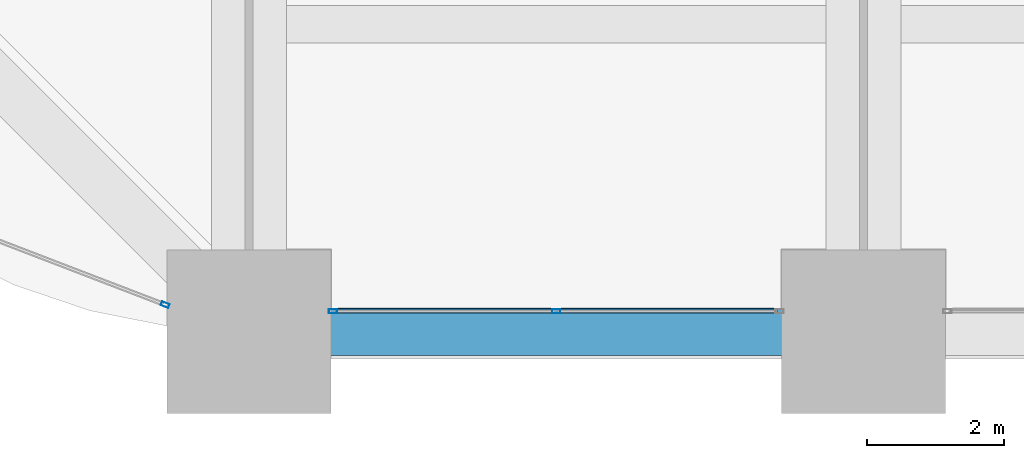
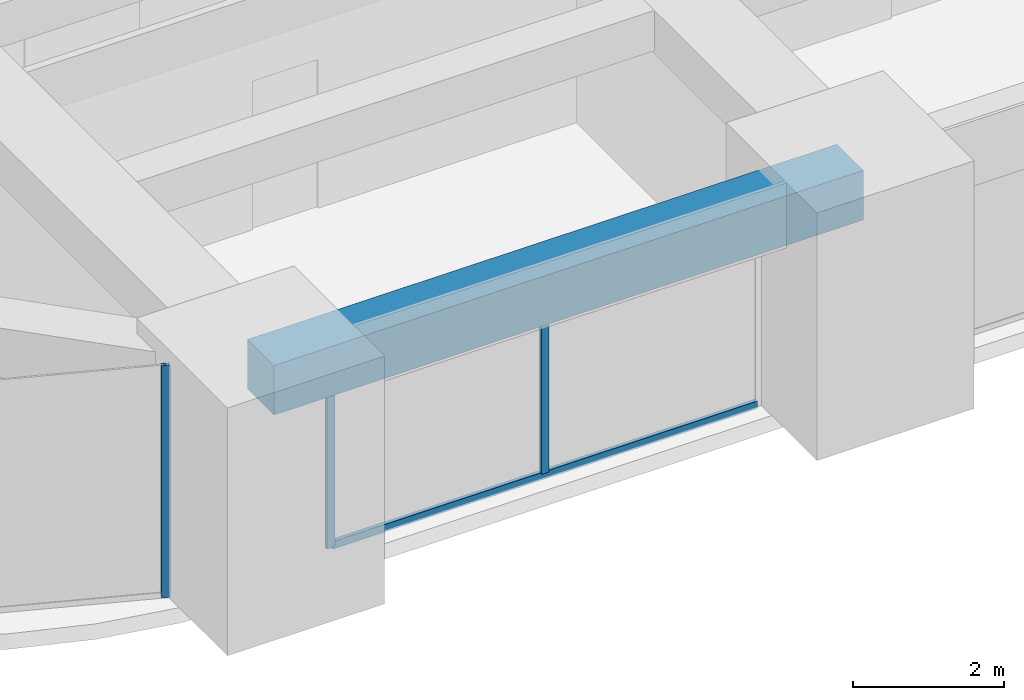
# One storey, part 4 of 45: 4 members, 1 beam, 2 elements without a shape of their own.
"""IFC4 building model written with IfcOpenShell, lengths in metres."""

from ifc_helpers import new_model, si_unit, direction, frame, origin, origin_2d, place, context, subcontext, project, spatial, rectangle, hollow_rectangle, extrude, material, material_profile, profile_set, type_object, element, aggregate, save


model = new_model("IFC4")

# Units and contexts
model_context = context("Model", 3, precision=1e-05, world=origin(), true_north=direction((0.0, 1.0)))
body_context = subcontext(model_context, "Body", "Model", "MODEL_VIEW")
ifc_project = project(units=[si_unit("LENGTHUNIT", "METRE"), si_unit("AREAUNIT", "SQUARE_METRE"), si_unit("VOLUMEUNIT", "CUBIC_METRE"), si_unit("PLANEANGLEUNIT", "RADIAN"), si_unit("MASSUNIT", "GRAM", prefix="KILO")], contexts=[model_context])

# Site, building, storey
site_placement = place(None, origin())
site = spatial("IfcSite", under=ifc_project, at=site_placement, CompositionType="ELEMENT")
building_placement = place(site_placement, origin())
building = spatial("IfcBuilding", under=site, at=building_placement, Name="Zorevar Civic Tower", CompositionType="ELEMENT")
storey_placement = place(building_placement, frame((0.0, 0.0, 247.39990234375)))
storey = spatial("IfcBuildingStorey", under=building, at=storey_placement, Name="L60", CompositionType="ELEMENT", Elevation=247.39990234375)

# Curtain wall, members
ifc_material_1 = material(Name="Dark grey solar-control glass in black aluminium frame", Category="aluminium")
curtain_wall_type = type_object("IfcCurtainWallType", Name="Curtain wall CW5 top zone", PredefinedType="NOTDEFINED", material=ifc_material_1)
curtain_wall_1_placement = place(storey_placement, origin())
curtain_wall_1 = element("IfcCurtainWall", 1, at=curtain_wall_1_placement, inside=storey, type_object=curtain_wall_type, Name="CW5 L60", PredefinedType="NOTDEFINED")
ifc_material_2 = material(Name="Aluminium, black anodised", Category="aluminium")
ifc_material_profile_1 = material_profile(ifc_material_2, hollow_rectangle(XDim=0.06005859375, YDim=0.1201171875, WallThickness=0.0029296875, at=origin_2d()), Name="AL 120x60x3")
ifc_profile_set_1 = profile_set([ifc_material_profile_1], Name="Aluminium, black anodised")
member_type_1 = type_object("IfcMemberType", Name="CW5 mullion AL 120x60x3", PredefinedType="MULLION", material=ifc_profile_set_1)
member_1_placement = place(storey_placement, frame((19.22998046875, 0.300048828125, 0.0), z_axis=(0.0, 0.0, 1.0), x_axis=(0.0, 1.0, 0.0)))
member_1 = element("IfcMember", 2, at=member_1_placement, type_object=member_type_1, Name="CW5 mullion 1", PredefinedType="MULLION", context=body_context, shape_type="SweptSolid", body=[
    extrude(hollow_rectangle(XDim=0.06005859375, YDim=0.1201171875, WallThickness=0.0029296875, at=origin_2d()), origin(), (0.0, 0.0, 1.0), 2.9501953125),
])
member_2_placement = place(storey_placement, frame((22.5, 0.300048828125, 0.06005859375), z_axis=(0.0, 0.0, 1.0), x_axis=(0.0, 1.0, 0.0)))
member_2 = element("IfcMember", 3, at=member_2_placement, type_object=member_type_1, Name="CW5 mullion 2", PredefinedType="MULLION", context=body_context, shape_type="SweptSolid", body=[
    extrude(hollow_rectangle(XDim=0.06005859375, YDim=0.1201171875, WallThickness=0.0029296875, at=origin_2d()), origin(), (0.0, 0.0, 1.0), 2.89013671875),
])

# Curtain wall, member
curtain_wall_2_placement = place(storey_placement, origin())
curtain_wall_2 = element("IfcCurtainWall", 4, at=curtain_wall_2_placement, inside=storey, type_object=curtain_wall_type, Name="CW5 L60", PredefinedType="NOTDEFINED")
member_3_placement = place(storey_placement, frame((16.77197265625, 0.39404296875, 0.0), z_axis=(0.0, 0.0, 1.0), x_axis=(0.358412771707, 0.933563219647, 0.0)))
member_3 = element("IfcMember", 5, at=member_3_placement, type_object=member_type_1, Name="CW5 mullion 2", PredefinedType="MULLION", context=body_context, shape_type="SweptSolid", body=[
    extrude(hollow_rectangle(XDim=0.06005859375, YDim=0.1201171875, WallThickness=0.0029296875, at=origin_2d()), origin(), (0.0, 0.0, 1.0), 3.75),
])
aggregate(curtain_wall_2, [member_3])

# Member
ifc_material_3 = material(Name="Aluminium, black anodised", Category="aluminium")
ifc_material_profile_2 = material_profile(ifc_material_3, hollow_rectangle(XDim=0.06005859375, YDim=0.1201171875, WallThickness=0.0029296875, at=origin_2d()), Name="AL 120x60x3")
ifc_profile_set_2 = profile_set([ifc_material_profile_2], Name="Aluminium, black anodised")
member_type_2 = type_object("IfcMemberType", Name="CW5 transom AL 120x60x3", PredefinedType="USERDEFINED", material=ifc_profile_set_2)
member_4_placement = place(storey_placement, frame((19.260009765625, 0.300048828125, 0.030029296875), z_axis=(1.0, 0.0, 0.0), x_axis=(0.0, 1.0, 0.0)))
member_4 = element("IfcMember", 6, at=member_4_placement, type_object=member_type_2, Name="CW5 sill transom", ObjectType="TRANSOM", PredefinedType="USERDEFINED", context=body_context, shape_type="SweptSolid", body=[
    extrude(hollow_rectangle(XDim=0.06005859375, YDim=0.1201171875, WallThickness=0.0029296875, at=origin_2d()), origin(), (0.0, 0.0, 1.0), 6.47998046875),
])

aggregate(curtain_wall_1, [member_1, member_2, member_4])

# Beam
ifc_material_4 = material(Name="Concrete C50/60", Category="concrete")
ifc_material_profile_3 = material_profile(ifc_material_4, rectangle(XDim=0.699951171875, YDim=0.800048828125, at=origin_2d()), Name="RC 700x800")
ifc_profile_set_3 = profile_set([ifc_material_profile_3], Name="Concrete C50/60")
beam_type = type_object("IfcBeamType", Name="Edge beam RC 700x800", PredefinedType="SPANDREL", material=ifc_profile_set_3)
beam_placement = place(storey_placement, frame((18.0, 0.0, 3.35009765625), z_axis=(1.0, 0.0, 0.0), x_axis=(0.0, 1.0, 0.0)))
element("IfcBeam", 7, at=beam_placement, inside=storey, type_object=beam_type, Name="Edge beam L61", PredefinedType="SPANDREL", context=body_context, shape_type="SweptSolid", body=[
    extrude(rectangle(XDim=0.699951171875, YDim=0.800048828125, at=origin_2d()), origin(), (0.0, 0.0, 1.0), 9.0),
])

save(model, "model.ifc")
